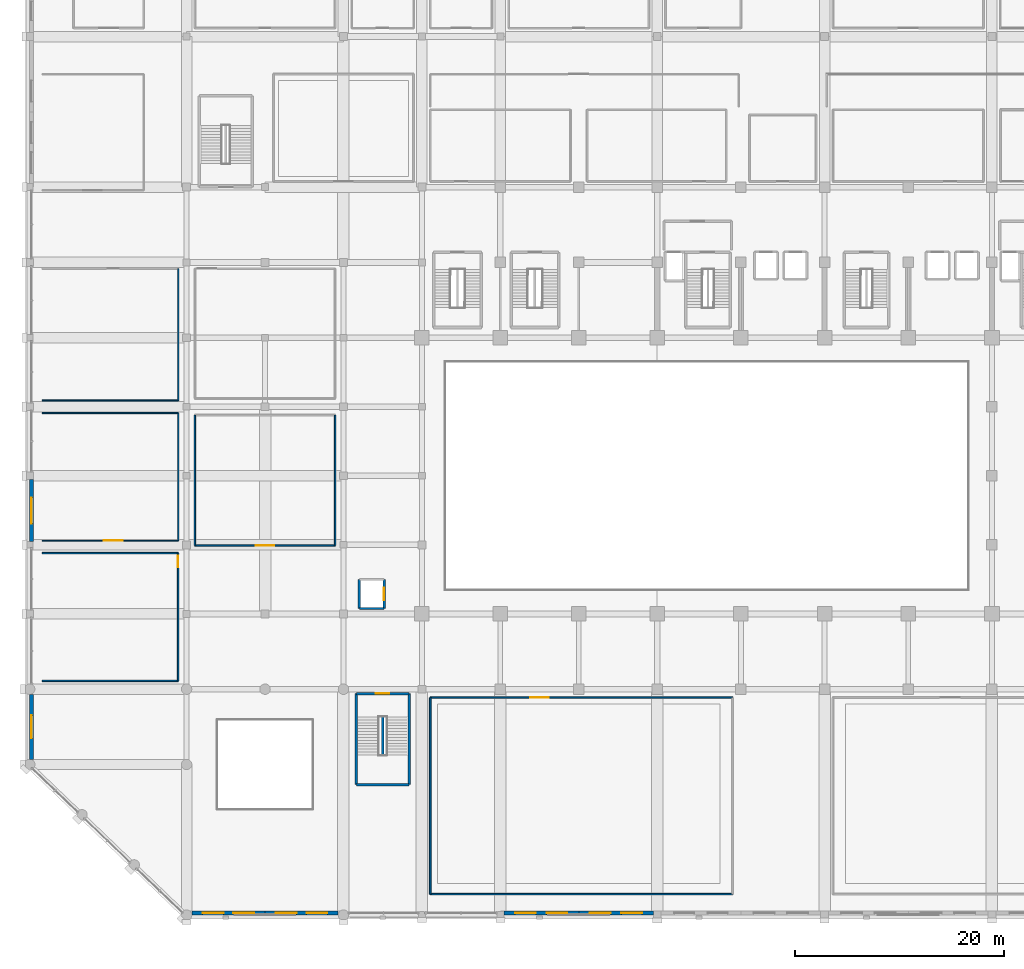
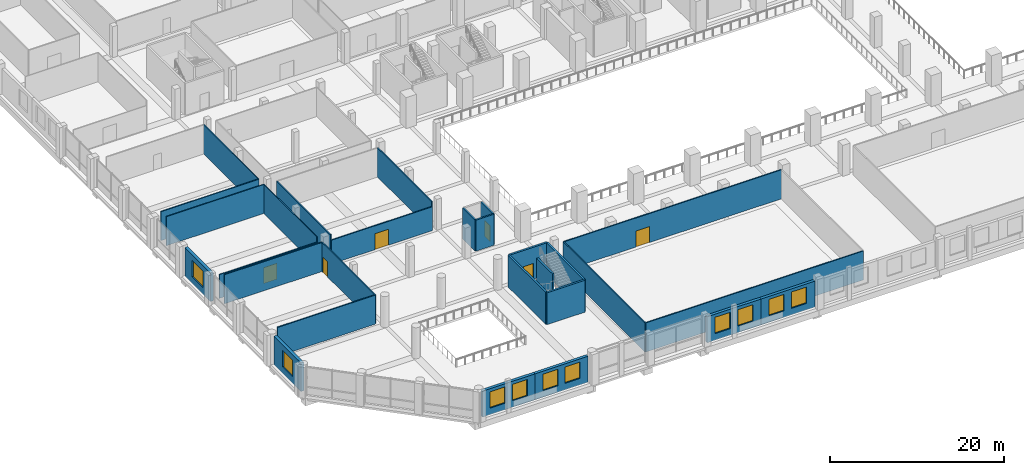
# One storey, part 40 of 64: 28 walls, 10 windows, 6 doors, 16 openings.
"""IFC4 building model written with IfcOpenShell, lengths in metres."""

from ifc_helpers import new_model, si_unit, direction, frame, frame_2d, origin, place, context, subcontext, project, spatial, rectangle, extrude, material, layer, layer_set, type_object, element, fill, save


model = new_model("IFC4")

# Units and contexts
model_context = context("Model", 3, precision=1e-05, world=origin(), true_north=direction((0.0, 1.0)))
body_context = subcontext(model_context, "Body", "Model", "MODEL_VIEW")
ifc_project = project(units=[si_unit("LENGTHUNIT", "METRE"), si_unit("AREAUNIT", "SQUARE_METRE"), si_unit("VOLUMEUNIT", "CUBIC_METRE"), si_unit("PLANEANGLEUNIT", "RADIAN"), si_unit("MASSUNIT", "GRAM", prefix="KILO")], contexts=[model_context])

# Site, building, storey
site_placement = place(None, origin())
site = spatial("IfcSite", under=ifc_project, at=site_placement, CompositionType="ELEMENT")
building_placement = place(site_placement, origin())
building = spatial("IfcBuilding", under=site, at=building_placement, Name="Akrevak Sports Hall", CompositionType="ELEMENT")
storey_placement = place(building_placement, frame((0.0, 0.0, 4.60009765625)))
storey = spatial("IfcBuildingStorey", under=building, at=storey_placement, Name="L01", CompositionType="ELEMENT", Elevation=4.60009765625)

# Wall, openings, windows
ifc_material_1 = material(Name="Limestone Ashlar", Category="stone")
ifc_layer_1 = layer(ifc_material_1, 0.080078125, Name="Limestone Ashlar")
ifc_material_2 = material(Name="Mineral Wool Thermal Insulation", Category="insulation")
ifc_layer_2 = layer(ifc_material_2, 0.10009765625, Name="Mineral Wool Thermal Insulation")
ifc_material_3 = material(Name="Concrete C40/50", Category="concrete")
ifc_layer_3 = layer(ifc_material_3, 0.199951171875, Name="Concrete C40/50")
ifc_layer_set_1 = layer_set([ifc_layer_1, ifc_layer_2, ifc_layer_3], Name="Limestone Ashlar / Mineral Wool Thermal Insulation / Concrete C40/50")
wall_type_1 = type_object("IfcWallType", Name="ARC-WL-EXT-380", PredefinedType="SOLIDWALL", material=ifc_layer_set_1)
wall_1_placement = place(storey_placement, frame((15.5, 0.18994140625, 0.0), z_axis=(0.0, 0.0, 1.0), x_axis=(1.0, 0.0, 0.0)))
wall_1 = element("IfcWall", 1, at=wall_1_placement, inside=storey, type_object=wall_type_1, Name="Exterior Limestone Wall L01-S01", PredefinedType="SOLIDWALL", context=body_context, shape_type="SweptSolid", body=[
    extrude(rectangle(XDim=7.0, YDim=0.3798828125, at=frame_2d((3.5, 0.0))), origin(), (0.0, 0.0, 1.0), 3.64990234375),
])
opening_1_placement = place(wall_1_placement, frame((1.030029296875, 0.0, 0.919921875)))
opening_1 = element("IfcOpeningElement", 2, at=opening_1_placement, cuts=wall_1, Name="Opening WN-29", PredefinedType="OPENING", context=body_context, shape_type="SweptSolid", body=[
    extrude(rectangle(XDim=2.0, YDim=2.300048828125, at=frame_2d((1.0, 1.14990234375))), frame((0.0, 0.201904296875, 0.0), z_axis=(0.0, -1.0, 0.0), x_axis=(1.0, 0.0, 0.0)), (0.0, 0.0, 1.0), 0.40380859375),
])
opening_2_placement = place(wall_1_placement, frame((3.969970703125, 0.0, 0.919921875)))
opening_2 = element("IfcOpeningElement", 3, at=opening_2_placement, cuts=wall_1, Name="Opening WN-29", PredefinedType="OPENING", context=body_context, shape_type="SweptSolid", body=[
    extrude(rectangle(XDim=2.0, YDim=2.300048828125, at=frame_2d((1.0, 1.14990234375))), frame((0.0, 0.201904296875, 0.0), z_axis=(0.0, -1.0, 0.0), x_axis=(1.0, 0.0, 0.0)), (0.0, 0.0, 1.0), 0.40380859375),
])
ifc_material_4 = material(Name="Thermally Broken Bronze Frame & Double Low-E Glass", Category="glass")
window_type_1 = type_object("IfcWindowType", Name="ARC-WIN-SZ-2000x2300", PartitioningType="SINGLE_PANEL", PredefinedType="WINDOW", material=ifc_material_4)
window_1_placement = place(opening_1_placement, origin())
window_1 = element("IfcWindow", 4, at=window_1_placement, inside=storey, type_object=window_type_1, Name="Beaux-Arts Facade Window WIN-L01-S01-1", OverallHeight=2.300048828125, OverallWidth=2.0, PartitioningType="SINGLE_PANEL", PredefinedType="WINDOW", context=body_context, shape_type="SweptSolid", body=[
    extrude(rectangle(XDim=2.0, YDim=2.300048828125, at=frame_2d((1.0, 1.14990234375))), frame((0.0, 0.030029296875, 0.0), z_axis=(0.0, -1.0, 0.0), x_axis=(1.0, 0.0, 0.0)), (0.0, 0.0, 1.0), 0.06005859375),
])
fill(opening_1, window_1)
window_2_placement = place(opening_2_placement, origin())
window_2 = element("IfcWindow", 5, at=window_2_placement, inside=storey, type_object=window_type_1, Name="Beaux-Arts Facade Window WIN-L01-S01-2", OverallHeight=2.300048828125, OverallWidth=2.0, PartitioningType="SINGLE_PANEL", PredefinedType="WINDOW", context=body_context, shape_type="SweptSolid", body=[
    extrude(rectangle(XDim=2.0, YDim=2.300048828125, at=frame_2d((1.0, 1.14990234375))), frame((0.0, 0.030029296875, 0.0), z_axis=(0.0, -1.0, 0.0), x_axis=(1.0, 0.0, 0.0)), (0.0, 0.0, 1.0), 0.06005859375),
])
fill(opening_2, window_2)

wall_2_placement = place(storey_placement, frame((22.5, 0.18994140625, 0.0), z_axis=(0.0, 0.0, 1.0), x_axis=(1.0, 0.0, 0.0)))
wall_2 = element("IfcWall", 6, at=wall_2_placement, inside=storey, type_object=wall_type_1, Name="Exterior Limestone Wall L01-S02", PredefinedType="SOLIDWALL", context=body_context, shape_type="SweptSolid", body=[
    extrude(rectangle(XDim=7.0, YDim=0.3798828125, at=frame_2d((3.5, 0.0))), origin(), (0.0, 0.0, 1.0), 3.64990234375),
])
opening_3_placement = place(wall_2_placement, frame((1.030029296875, 0.0, 0.919921875)))
opening_3 = element("IfcOpeningElement", 7, at=opening_3_placement, cuts=wall_2, Name="Opening WN-29", PredefinedType="OPENING", context=body_context, shape_type="SweptSolid", body=[
    extrude(rectangle(XDim=2.0, YDim=2.300048828125, at=frame_2d((1.0, 1.14990234375))), frame((0.0, 0.201904296875, 0.0), z_axis=(0.0, -1.0, 0.0), x_axis=(1.0, 0.0, 0.0)), (0.0, 0.0, 1.0), 0.40380859375),
])
opening_4_placement = place(wall_2_placement, frame((3.969970703125, 0.0, 0.919921875)))
opening_4 = element("IfcOpeningElement", 8, at=opening_4_placement, cuts=wall_2, Name="Opening WN-29", PredefinedType="OPENING", context=body_context, shape_type="SweptSolid", body=[
    extrude(rectangle(XDim=2.0, YDim=2.300048828125, at=frame_2d((1.0, 1.14990234375))), frame((0.0, 0.201904296875, 0.0), z_axis=(0.0, -1.0, 0.0), x_axis=(1.0, 0.0, 0.0)), (0.0, 0.0, 1.0), 0.40380859375),
])
window_3_placement = place(opening_3_placement, origin())
window_3 = element("IfcWindow", 9, at=window_3_placement, inside=storey, type_object=window_type_1, Name="Beaux-Arts Facade Window WIN-L01-S02-1", OverallHeight=2.300048828125, OverallWidth=2.0, PartitioningType="SINGLE_PANEL", PredefinedType="WINDOW", context=body_context, shape_type="SweptSolid", body=[
    extrude(rectangle(XDim=2.0, YDim=2.300048828125, at=frame_2d((1.0, 1.14990234375))), frame((0.0, 0.030029296875, 0.0), z_axis=(0.0, -1.0, 0.0), x_axis=(1.0, 0.0, 0.0)), (0.0, 0.0, 1.0), 0.06005859375),
])
fill(opening_3, window_3)
window_4_placement = place(opening_4_placement, origin())
window_4 = element("IfcWindow", 10, at=window_4_placement, inside=storey, type_object=window_type_1, Name="Beaux-Arts Facade Window WIN-L01-S02-2", OverallHeight=2.300048828125, OverallWidth=2.0, PartitioningType="SINGLE_PANEL", PredefinedType="WINDOW", context=body_context, shape_type="SweptSolid", body=[
    extrude(rectangle(XDim=2.0, YDim=2.300048828125, at=frame_2d((1.0, 1.14990234375))), frame((0.0, 0.030029296875, 0.0), z_axis=(0.0, -1.0, 0.0), x_axis=(1.0, 0.0, 0.0)), (0.0, 0.0, 1.0), 0.06005859375),
])
fill(opening_4, window_4)

wall_3_placement = place(storey_placement, frame((45.324951171875, 0.18994140625, 0.0), z_axis=(0.0, 0.0, 1.0), x_axis=(1.0, 0.0, 0.0)))
wall_3 = element("IfcWall", 11, at=wall_3_placement, inside=storey, type_object=wall_type_1, Name="Exterior Limestone Wall L01-S05", PredefinedType="SOLIDWALL", context=body_context, shape_type="SweptSolid", body=[
    extrude(rectangle(XDim=7.175048828125, YDim=0.3798828125, at=frame_2d((3.58740234375, 0.0))), origin(), (0.0, 0.0, 1.0), 3.64990234375),
])
opening_5_placement = place(wall_3_placement, frame((1.080810546875, 0.0, 0.919921875)))
opening_5 = element("IfcOpeningElement", 12, at=opening_5_placement, cuts=wall_3, Name="Opening WN-29", PredefinedType="OPENING", context=body_context, shape_type="SweptSolid", body=[
    extrude(rectangle(XDim=2.0, YDim=2.300048828125, at=frame_2d((1.0, 1.14990234375))), frame((0.0, 0.201904296875, 0.0), z_axis=(0.0, -1.0, 0.0), x_axis=(1.0, 0.0, 0.0)), (0.0, 0.0, 1.0), 0.40380859375),
])
opening_6_placement = place(wall_3_placement, frame((4.09423828125, 0.0, 0.919921875)))
opening_6 = element("IfcOpeningElement", 13, at=opening_6_placement, cuts=wall_3, Name="Opening WN-29", PredefinedType="OPENING", context=body_context, shape_type="SweptSolid", body=[
    extrude(rectangle(XDim=2.0, YDim=2.300048828125, at=frame_2d((1.0, 1.14990234375))), frame((0.0, 0.201904296875, 0.0), z_axis=(0.0, -1.0, 0.0), x_axis=(1.0, 0.0, 0.0)), (0.0, 0.0, 1.0), 0.40380859375),
])
window_5_placement = place(opening_5_placement, origin())
window_5 = element("IfcWindow", 14, at=window_5_placement, inside=storey, type_object=window_type_1, Name="Beaux-Arts Facade Window WIN-L01-S05-1", OverallHeight=2.300048828125, OverallWidth=2.0, PartitioningType="SINGLE_PANEL", PredefinedType="WINDOW", context=body_context, shape_type="SweptSolid", body=[
    extrude(rectangle(XDim=2.0, YDim=2.300048828125, at=frame_2d((1.0, 1.14990234375))), frame((0.0, 0.030029296875, 0.0), z_axis=(0.0, -1.0, 0.0), x_axis=(1.0, 0.0, 0.0)), (0.0, 0.0, 1.0), 0.06005859375),
])
fill(opening_5, window_5)
window_6_placement = place(opening_6_placement, origin())
window_6 = element("IfcWindow", 15, at=window_6_placement, inside=storey, type_object=window_type_1, Name="Beaux-Arts Facade Window WIN-L01-S05-2", OverallHeight=2.300048828125, OverallWidth=2.0, PartitioningType="SINGLE_PANEL", PredefinedType="WINDOW", context=body_context, shape_type="SweptSolid", body=[
    extrude(rectangle(XDim=2.0, YDim=2.300048828125, at=frame_2d((1.0, 1.14990234375))), frame((0.0, 0.030029296875, 0.0), z_axis=(0.0, -1.0, 0.0), x_axis=(1.0, 0.0, 0.0)), (0.0, 0.0, 1.0), 0.06005859375),
])
fill(opening_6, window_6)

wall_4_placement = place(storey_placement, frame((52.5, 0.18994140625, 0.0), z_axis=(0.0, 0.0, 1.0), x_axis=(1.0, 0.0, 0.0)))
wall_4 = element("IfcWall", 16, at=wall_4_placement, inside=storey, type_object=wall_type_1, Name="Exterior Limestone Wall L01-S06", PredefinedType="SOLIDWALL", context=body_context, shape_type="SweptSolid", body=[
    extrude(rectangle(XDim=7.125, YDim=0.3798828125, at=frame_2d((3.5625, 0.0))), origin(), (0.0, 0.0, 1.0), 3.64990234375),
])
opening_7_placement = place(wall_4_placement, frame((1.066162109375, 0.0, 0.919921875)))
opening_7 = element("IfcOpeningElement", 17, at=opening_7_placement, cuts=wall_4, Name="Opening WN-29", PredefinedType="OPENING", context=body_context, shape_type="SweptSolid", body=[
    extrude(rectangle(XDim=2.0, YDim=2.300048828125, at=frame_2d((1.0, 1.14990234375))), frame((0.0, 0.201904296875, 0.0), z_axis=(0.0, -1.0, 0.0), x_axis=(1.0, 0.0, 0.0)), (0.0, 0.0, 1.0), 0.40380859375),
])
opening_8_placement = place(wall_4_placement, frame((4.058837890625, 0.0, 0.919921875)))
opening_8 = element("IfcOpeningElement", 18, at=opening_8_placement, cuts=wall_4, Name="Opening WN-29", PredefinedType="OPENING", context=body_context, shape_type="SweptSolid", body=[
    extrude(rectangle(XDim=2.0, YDim=2.300048828125, at=frame_2d((1.0, 1.14990234375))), frame((0.0, 0.201904296875, 0.0), z_axis=(0.0, -1.0, 0.0), x_axis=(1.0, 0.0, 0.0)), (0.0, 0.0, 1.0), 0.40380859375),
])
window_7_placement = place(opening_7_placement, origin())
window_7 = element("IfcWindow", 19, at=window_7_placement, inside=storey, type_object=window_type_1, Name="Beaux-Arts Facade Window WIN-L01-S06-1", OverallHeight=2.300048828125, OverallWidth=2.0, PartitioningType="SINGLE_PANEL", PredefinedType="WINDOW", context=body_context, shape_type="SweptSolid", body=[
    extrude(rectangle(XDim=2.0, YDim=2.300048828125, at=frame_2d((1.0, 1.14990234375))), frame((0.0, 0.030029296875, 0.0), z_axis=(0.0, -1.0, 0.0), x_axis=(1.0, 0.0, 0.0)), (0.0, 0.0, 1.0), 0.06005859375),
])
fill(opening_7, window_7)
window_8_placement = place(opening_8_placement, origin())
window_8 = element("IfcWindow", 20, at=window_8_placement, inside=storey, type_object=window_type_1, Name="Beaux-Arts Facade Window WIN-L01-S06-2", OverallHeight=2.300048828125, OverallWidth=2.0, PartitioningType="SINGLE_PANEL", PredefinedType="WINDOW", context=body_context, shape_type="SweptSolid", body=[
    extrude(rectangle(XDim=2.0, YDim=2.300048828125, at=frame_2d((1.0, 1.14990234375))), frame((0.0, 0.030029296875, 0.0), z_axis=(0.0, -1.0, 0.0), x_axis=(1.0, 0.0, 0.0)), (0.0, 0.0, 1.0), 0.06005859375),
])
fill(opening_8, window_8)

# Wall, opening, window
wall_5_placement = place(storey_placement, frame((0.18994140625, 21.10009765625, 0.0), z_axis=(0.0, 0.0, 1.0), x_axis=(0.0, -1.0, 0.0)))
wall_5 = element("IfcWall", 21, at=wall_5_placement, inside=storey, type_object=wall_type_1, Name="Exterior Limestone Wall L01-W01", PredefinedType="SOLIDWALL", context=body_context, shape_type="SweptSolid", body=[
    extrude(rectangle(XDim=6.2001953125, YDim=0.3798828125, at=frame_2d((3.10009765625, 0.0))), origin(), (0.0, 0.0, 1.0), 4.02001953125),
])
opening_9_placement = place(wall_5_placement, frame((2.0, 0.0, 0.919921875)))
opening_9 = element("IfcOpeningElement", 22, at=opening_9_placement, cuts=wall_5, Name="Opening WN-34", PredefinedType="OPENING", context=body_context, shape_type="SweptSolid", body=[
    extrude(rectangle(XDim=2.199951171875, YDim=2.300048828125, at=frame_2d((1.10009765625, 1.14990234375))), frame((0.0, 0.201904296875, 0.0), z_axis=(0.0, -1.0, 0.0), x_axis=(1.0, 0.0, 0.0)), (0.0, 0.0, 1.0), 0.40380859375),
])
window_type_2 = type_object("IfcWindowType", Name="ARC-WIN-SZ-2200x2300", PartitioningType="SINGLE_PANEL", PredefinedType="WINDOW", material=ifc_material_4)
window_9_placement = place(opening_9_placement, origin())
window_9 = element("IfcWindow", 23, at=window_9_placement, inside=storey, type_object=window_type_2, Name="Beaux-Arts Facade Window WIN-L01-W01", OverallHeight=2.300048828125, OverallWidth=2.199951171875, PartitioningType="SINGLE_PANEL", PredefinedType="WINDOW", context=body_context, shape_type="SweptSolid", body=[
    extrude(rectangle(XDim=2.199951171875, YDim=2.300048828125, at=frame_2d((1.10009765625, 1.14990234375))), frame((0.0, 0.030029296875, 0.0), z_axis=(0.0, -1.0, 0.0), x_axis=(1.0, 0.0, 0.0)), (0.0, 0.0, 1.0), 0.06005859375),
])
fill(opening_9, window_9)

wall_6_placement = place(storey_placement, frame((0.18994140625, 41.625, 0.0), z_axis=(0.0, 0.0, 1.0), x_axis=(0.0, -1.0, 0.0)))
wall_6 = element("IfcWall", 24, at=wall_6_placement, inside=storey, type_object=wall_type_1, Name="Exterior Limestone Wall L01-W04", PredefinedType="SOLIDWALL", context=body_context, shape_type="SweptSolid", body=[
    extrude(rectangle(XDim=5.89990234375, YDim=0.3798828125, at=frame_2d((2.949951171875, 0.0))), origin(), (0.0, 0.0, 1.0), 4.02001953125),
])
opening_10_placement = place(wall_6_placement, frame((1.699951171875, 0.0, 0.919921875)))
opening_10 = element("IfcOpeningElement", 25, at=opening_10_placement, cuts=wall_6, Name="Opening WN-32", PredefinedType="OPENING", context=body_context, shape_type="SweptSolid", body=[
    extrude(rectangle(XDim=2.5, YDim=2.300048828125, at=frame_2d((1.25, 1.14990234375))), frame((0.0, 0.201904296875, 0.0), z_axis=(0.0, -1.0, 0.0), x_axis=(1.0, 0.0, 0.0)), (0.0, 0.0, 1.0), 0.40380859375),
])
window_type_3 = type_object("IfcWindowType", Name="ARC-WIN-SZ-2500x2300", PartitioningType="SINGLE_PANEL", PredefinedType="WINDOW", material=ifc_material_4)
window_10_placement = place(opening_10_placement, origin())
window_10 = element("IfcWindow", 26, at=window_10_placement, inside=storey, type_object=window_type_3, Name="Beaux-Arts Facade Window WIN-L01-W04", OverallHeight=2.300048828125, OverallWidth=2.5, PartitioningType="SINGLE_PANEL", PredefinedType="WINDOW", context=body_context, shape_type="SweptSolid", body=[
    extrude(rectangle(XDim=2.5, YDim=2.300048828125, at=frame_2d((1.25, 1.14990234375))), frame((0.0, 0.030029296875, 0.0), z_axis=(0.0, -1.0, 0.0), x_axis=(1.0, 0.0, 0.0)), (0.0, 0.0, 1.0), 0.06005859375),
])
fill(opening_10, window_10)

# Wall, opening, door
ifc_material_5 = material(Name="Lightweight Office Partition", Category="gypsum")
ifc_layer_4 = layer(ifc_material_5, 0.110107421875, Name="Lightweight Office Partition")
ifc_layer_set_2 = layer_set([ifc_layer_4], Name="Lightweight Office Partition")
wall_type_2 = type_object("IfcWallType", Name="ARC-WL-PRT-110", PredefinedType="PARTITIONING", material=ifc_layer_set_2)
wall_7_placement = place(storey_placement, frame((1.199951171875, 35.800048828125, 0.0), z_axis=(0.0, 0.0, 1.0), x_axis=(1.0, 0.0, 0.0)))
wall_7 = element("IfcWall", 27, at=wall_7_placement, inside=storey, type_object=wall_type_2, Name="Interior Partition West Boulevard Equipment Storage L01-1 (S)", PredefinedType="PARTITIONING", context=body_context, shape_type="SweptSolid", body=[
    extrude(rectangle(XDim=13.0, YDim=0.110107421875, at=frame_2d((6.5, 0.0))), origin(), (0.0, 0.0, 1.0), 3.349853515625),
])
opening_11_placement = place(wall_7_placement, frame((5.89990234375, 0.0, 0.0)))
opening_11 = element("IfcOpeningElement", 28, at=opening_11_placement, cuts=wall_7, Name="Opening ID-02", PredefinedType="OPENING", context=body_context, shape_type="SweptSolid", body=[
    extrude(rectangle(XDim=1.800048828125, YDim=2.25, at=frame_2d((0.89990234375, 1.125))), frame((0.0, 0.06689453125, 0.0), z_axis=(0.0, -1.0, 0.0), x_axis=(1.0, 0.0, 0.0)), (0.0, 0.0, 1.0), 0.134033203125),
])
ifc_material_6 = material(Name="Hardwood Oak & Safety Glass", Category="wood")
door_type_1 = type_object("IfcDoorType", Name="ARC-DR-HALL-180x225", OperationType="DOUBLE_DOOR_SINGLE_SWING", PredefinedType="DOOR", material=ifc_material_6)
door_1_placement = place(opening_11_placement, origin())
door_1 = element("IfcDoor", 29, at=door_1_placement, inside=storey, type_object=door_type_1, Name="Door to West Boulevard Equipment Storage L01-1", OperationType="DOUBLE_DOOR_SINGLE_SWING", OverallHeight=2.25, OverallWidth=1.800048828125, PredefinedType="DOOR", context=body_context, shape_type="SweptSolid", body=[
    extrude(rectangle(XDim=1.800048828125, YDim=2.25, at=frame_2d((0.89990234375, 1.125))), frame((0.0, 0.02490234375, 0.0), z_axis=(0.0, -1.0, 0.0), x_axis=(1.0, 0.0, 0.0)), (0.0, 0.0, 1.0), 0.050048828125),
])
fill(opening_11, door_1)

# Walls
wall_8_placement = place(storey_placement, frame((1.199951171875, 48.0, 0.0), z_axis=(0.0, 0.0, 1.0), x_axis=(1.0, 0.0, 0.0)))
element("IfcWall", 30, at=wall_8_placement, inside=storey, type_object=wall_type_2, Name="Interior Partition West Boulevard Equipment Storage L01-1 (N)", PredefinedType="PARTITIONING", context=body_context, shape_type="SweptSolid", body=[
    extrude(rectangle(XDim=13.0, YDim=0.110107421875, at=frame_2d((6.5, 0.0))), origin(), (0.0, 0.0, 1.0), 4.079833984375),
])
wall_9_placement = place(storey_placement, frame((14.199951171875, 35.800048828125, 0.0), z_axis=(0.0, 0.0, 1.0), x_axis=(0.0, 1.0, 0.0)))
element("IfcWall", 31, at=wall_9_placement, inside=storey, type_object=wall_type_2, Name="Interior Partition West Boulevard Equipment Storage L01-1 (E)", PredefinedType="PARTITIONING", context=body_context, shape_type="SweptSolid", body=[
    extrude(rectangle(XDim=12.199951171875, YDim=0.110107421875, at=frame_2d((6.10009765625, 0.0))), origin(), (0.0, 0.0, 1.0), 4.079833984375),
])
ifc_material_7 = material(Name="Acoustic Metal Stud Partition", Category="gypsum")
ifc_layer_5 = layer(ifc_material_7, 0.1298828125, Name="Acoustic Metal Stud Partition")
ifc_layer_set_3 = layer_set([ifc_layer_5], Name="Acoustic Metal Stud Partition")
wall_type_3 = type_object("IfcWallType", Name="ARC-WL-PRT-130", PredefinedType="PARTITIONING", material=ifc_layer_set_3)
wall_10_placement = place(storey_placement, frame((1.199951171875, 49.199951171875, 0.0), z_axis=(0.0, 0.0, 1.0), x_axis=(1.0, 0.0, 0.0)))
element("IfcWall", 32, at=wall_10_placement, inside=storey, type_object=wall_type_3, Name="Interior Partition West Boulevard Federation Office L01-2 (S)", PredefinedType="PARTITIONING", context=body_context, shape_type="SweptSolid", body=[
    extrude(rectangle(XDim=13.0, YDim=0.1298828125, at=frame_2d((6.5, 0.0))), origin(), (0.0, 0.0, 1.0), 4.079833984375),
])
wall_11_placement = place(storey_placement, frame((14.199951171875, 49.199951171875, 0.0), z_axis=(0.0, 0.0, 1.0), x_axis=(0.0, 1.0, 0.0)))
element("IfcWall", 33, at=wall_11_placement, inside=storey, type_object=wall_type_3, Name="Interior Partition West Boulevard Federation Office L01-2 (E)", PredefinedType="PARTITIONING", context=body_context, shape_type="SweptSolid", body=[
    extrude(rectangle(XDim=12.60009765625, YDim=0.1298828125, at=frame_2d((6.300048828125, 0.0))), origin(), (0.0, 0.0, 1.0), 4.079833984375),
])
ifc_material_8 = material(Name="Double Stud Acoustic Gypsum Partition", Category="gypsum")
ifc_layer_6 = layer(ifc_material_8, 0.14990234375, Name="Double Stud Acoustic Gypsum Partition")
ifc_layer_set_4 = layer_set([ifc_layer_6], Name="Double Stud Acoustic Gypsum Partition")
wall_type_4 = type_object("IfcWallType", Name="ARC-WL-PRT-150", PredefinedType="PARTITIONING", material=ifc_layer_set_4)
wall_12_placement = place(storey_placement, frame((38.300048828125, 2.0, 0.0), z_axis=(0.0, 0.0, 1.0), x_axis=(1.0, 0.0, 0.0)))
element("IfcWall", 34, at=wall_12_placement, inside=storey, type_object=wall_type_4, Name="Interior Partition Fitness Studio 1 - Strength & Free Weights (S)", PredefinedType="PARTITIONING", context=body_context, shape_type="SweptSolid", body=[
    extrude(rectangle(XDim=28.89990234375, YDim=0.14990234375, at=frame_2d((14.449951171875, 0.0))), origin(), (0.0, 0.0, 1.0), 4.079833984375),
])

# Wall, opening, door
wall_13_placement = place(storey_placement, frame((38.300048828125, 20.800048828125, 0.0), z_axis=(0.0, 0.0, 1.0), x_axis=(1.0, 0.0, 0.0)))
wall_13 = element("IfcWall", 35, at=wall_13_placement, inside=storey, type_object=wall_type_4, Name="Interior Partition Fitness Studio 1 - Strength & Free Weights (N)", PredefinedType="PARTITIONING", context=body_context, shape_type="SweptSolid", body=[
    extrude(rectangle(XDim=28.89990234375, YDim=0.14990234375, at=frame_2d((14.449951171875, 0.0))), origin(), (0.0, 0.0, 1.0), 4.079833984375),
])
opening_12_placement = place(wall_13_placement, frame((9.550048828125, 0.0, 0.0)))
opening_12 = element("IfcOpeningElement", 36, at=opening_12_placement, cuts=wall_13, Name="Opening ID-02", PredefinedType="OPENING", context=body_context, shape_type="SweptSolid", body=[
    extrude(rectangle(XDim=1.800048828125, YDim=2.25, at=frame_2d((0.89990234375, 1.125))), frame((0.0, 0.0869140625, 0.0), z_axis=(0.0, -1.0, 0.0), x_axis=(1.0, 0.0, 0.0)), (0.0, 0.0, 1.0), 0.173828125),
])
door_2_placement = place(opening_12_placement, origin())
door_2 = element("IfcDoor", 37, at=door_2_placement, inside=storey, type_object=door_type_1, Name="Door to Fitness Studio 1 - Strength & Free Weights", OperationType="DOUBLE_DOOR_SINGLE_SWING", OverallHeight=2.25, OverallWidth=1.800048828125, PredefinedType="DOOR", context=body_context, shape_type="SweptSolid", body=[
    extrude(rectangle(XDim=1.800048828125, YDim=2.25, at=frame_2d((0.89990234375, 1.125))), frame((0.0, 0.02490234375, 0.0), z_axis=(0.0, -1.0, 0.0), x_axis=(1.0, 0.0, 0.0)), (0.0, 0.0, 1.0), 0.050048828125),
])
fill(opening_12, door_2)

# Wall
wall_14_placement = place(storey_placement, frame((38.300048828125, 2.0, 0.0), z_axis=(0.0, 0.0, 1.0), x_axis=(0.0, 1.0, 0.0)))
element("IfcWall", 38, at=wall_14_placement, inside=storey, type_object=wall_type_4, Name="Interior Partition Fitness Studio 1 - Strength & Free Weights (W)", PredefinedType="PARTITIONING", context=body_context, shape_type="SweptSolid", body=[
    extrude(rectangle(XDim=18.800048828125, YDim=0.14990234375, at=frame_2d((9.39990234375, 0.0))), origin(), (0.0, 0.0, 1.0), 4.079833984375),
])

# Wall, opening, door
wall_15_placement = place(storey_placement, frame((15.800048828125, 35.35009765625, 0.0), z_axis=(0.0, 0.0, 1.0), x_axis=(1.0, 0.0, 0.0)))
wall_15 = element("IfcWall", 39, at=wall_15_placement, inside=storey, type_object=wall_type_4, Name="Interior Partition West Wing Athletic Conditioning Studio L01 (S)", PredefinedType="PARTITIONING", context=body_context, shape_type="SweptSolid", body=[
    extrude(rectangle(XDim=13.39990234375, YDim=0.14990234375, at=frame_2d((6.699951171875, 0.0))), origin(), (0.0, 0.0, 1.0), 3.349853515625),
])
opening_13_placement = place(wall_15_placement, frame((5.800048828125, 0.0, 0.0)))
opening_13 = element("IfcOpeningElement", 40, at=opening_13_placement, cuts=wall_15, Name="Opening ID-02", PredefinedType="OPENING", context=body_context, shape_type="SweptSolid", body=[
    extrude(rectangle(XDim=1.800048828125, YDim=2.25, at=frame_2d((0.89990234375, 1.125))), frame((0.0, 0.0869140625, 0.0), z_axis=(0.0, -1.0, 0.0), x_axis=(1.0, 0.0, 0.0)), (0.0, 0.0, 1.0), 0.173828125),
])
door_3_placement = place(opening_13_placement, frame((1.800048828125, 0.0, 0.0), z_axis=(0.0, 0.0, 1.0), x_axis=(-1.0, 0.0, 0.0)))
door_3 = element("IfcDoor", 41, at=door_3_placement, inside=storey, type_object=door_type_1, Name="Door to West Wing Athletic Conditioning Studio L01", OperationType="DOUBLE_DOOR_SINGLE_SWING", OverallHeight=2.25, OverallWidth=1.800048828125, PredefinedType="DOOR", context=body_context, shape_type="SweptSolid", body=[
    extrude(rectangle(XDim=1.800048828125, YDim=2.25, at=frame_2d((0.89990234375, 1.125))), frame((0.0, 0.02490234375, 0.0), z_axis=(0.0, -1.0, 0.0), x_axis=(1.0, 0.0, 0.0)), (0.0, 0.0, 1.0), 0.050048828125),
])
fill(opening_13, door_3)

# Walls
for number, where, z_axis, x_axis, name in (
    (42, (15.800048828125, 35.35009765625, 0.0), (0.0, 0.0, 1.0), (0.0, 1.0, 0.0), "Interior Partition West Wing Athletic Conditioning Studio L01 (W)"),
    (43, (29.199951171875, 35.35009765625, 0.0), (0.0, 0.0, 1.0), (0.0, 1.0, 0.0), "Interior Partition West Wing Athletic Conditioning Studio L01 (E)"),
):
    element("IfcWall", number, at=place(storey_placement, frame(where, z_axis=z_axis, x_axis=x_axis)), inside=storey, type_object=wall_type_4, Name=name, PredefinedType="PARTITIONING", context=body_context, shape_type="SweptSolid", body=[
        extrude(rectangle(XDim=12.449951171875, YDim=0.14990234375, at=frame_2d((6.22509765625, 0.0))), origin(), (0.0, 0.0, 1.0), 4.079833984375),
    ])
for number, where, z_axis, x_axis, name in (
    (44, (1.199951171875, 22.39990234375, 0.0), (0.0, 0.0, 1.0), (1.0, 0.0, 0.0), "Interior Partition West Boulevard Federation Office L01-1 (S)"),
    (45, (1.199951171875, 34.60009765625, 0.0), (0.0, 0.0, 1.0), (1.0, 0.0, 0.0), "Interior Partition West Boulevard Federation Office L01-1 (N)"),
):
    element("IfcWall", number, at=place(storey_placement, frame(where, z_axis=z_axis, x_axis=x_axis)), inside=storey, type_object=wall_type_4, Name=name, PredefinedType="PARTITIONING", context=body_context, shape_type="SweptSolid", body=[
        extrude(rectangle(XDim=13.0, YDim=0.14990234375, at=frame_2d((6.5, 0.0))), origin(), (0.0, 0.0, 1.0), 4.079833984375),
    ])

# Wall, opening, door
wall_16_placement = place(storey_placement, frame((14.199951171875, 22.39990234375, 0.0), z_axis=(0.0, 0.0, 1.0), x_axis=(0.0, 1.0, 0.0)))
wall_16 = element("IfcWall", 46, at=wall_16_placement, inside=storey, type_object=wall_type_4, Name="Interior Partition West Boulevard Federation Office L01-1 (E)", PredefinedType="PARTITIONING", context=body_context, shape_type="SweptSolid", body=[
    extrude(rectangle(XDim=12.2001953125, YDim=0.14990234375, at=frame_2d((6.10009765625, 0.0))), origin(), (0.0, 0.0, 1.0), 4.079833984375),
])
opening_14_placement = place(wall_16_placement, frame((10.85009765625, 0.0, 0.0)))
opening_14 = element("IfcOpeningElement", 47, at=opening_14_placement, cuts=wall_16, Name="Opening ID-04", PredefinedType="OPENING", context=body_context, shape_type="SweptSolid", body=[
    extrude(rectangle(XDim=1.10009765625, YDim=2.14990234375, at=frame_2d((0.550048828125, 1.074951171875))), frame((0.0, 0.0869140625, 0.0), z_axis=(0.0, -1.0, 0.0), x_axis=(1.0, 0.0, 0.0)), (0.0, 0.0, 1.0), 0.173828125),
])
ifc_material_9 = material(Name="Hardwood Oak Acoustic Leaf", Category="wood")
door_type_2 = type_object("IfcDoorType", Name="ARC-DR-OFF-110x215", OperationType="NOTDEFINED", PredefinedType="DOOR", material=ifc_material_9)
door_4_placement = place(opening_14_placement, frame((1.10009765625, 0.0, 0.0), z_axis=(0.0, 0.0, 1.0), x_axis=(-1.0, 0.0, 0.0)))
door_4 = element("IfcDoor", 48, at=door_4_placement, inside=storey, type_object=door_type_2, Name="Door to West Boulevard Federation Office L01-1", OperationType="SINGLE_SWING_RIGHT", OverallHeight=2.14990234375, OverallWidth=1.10009765625, PredefinedType="DOOR", context=body_context, shape_type="SweptSolid", body=[
    extrude(rectangle(XDim=1.10009765625, YDim=2.14990234375, at=frame_2d((0.550048828125, 1.074951171875))), frame((0.0, 0.02490234375, 0.0), z_axis=(0.0, -1.0, 0.0), x_axis=(1.0, 0.0, 0.0)), (0.0, 0.0, 1.0), 0.050048828125),
])
fill(opening_14, door_4)

# Walls
ifc_layer_7 = layer(ifc_material_3, 0.219970703125, Name="Concrete C40/50")
ifc_layer_set_5 = layer_set([ifc_layer_7], Name="Concrete C40/50")
wall_type_5 = type_object("IfcWallType", Name="ARC-WL-PRT-220", PredefinedType="PARTITIONING", material=ifc_layer_set_5)
wall_17_placement = place(storey_placement, frame((33.75, 15.31005859375, 0.0), z_axis=(0.0, 0.0, 1.0), x_axis=(0.0, 1.0, 0.0)))
element("IfcWall", 49, at=wall_17_placement, inside=storey, type_object=wall_type_5, Name="Stair ST5 Central Spine Wall (L01)", PredefinedType="PARTITIONING", context=body_context, shape_type="SweptSolid", body=[
    extrude(rectangle(XDim=3.639892578125, YDim=0.219970703125, at=frame_2d((1.81982421875, 0.0))), origin(), (0.0, 0.0, 1.0), 4.47998046875),
])
ifc_material_10 = material(Name="Concrete C50/60", Category="concrete")
ifc_layer_8 = layer(ifc_material_10, 0.219970703125, Name="Concrete C50/60")
ifc_layer_set_6 = layer_set([ifc_layer_8], Name="Concrete C50/60")
wall_type_6 = type_object("IfcWallType", Name="ARC-WL-SHAFT-220", PredefinedType="SHEAR", material=ifc_layer_set_6)
wall_18_placement = place(storey_placement, frame((31.510009765625, 29.31005859375, 0.0), z_axis=(0.0, 0.0, 1.0), x_axis=(1.0, 0.0, 0.0)))
element("IfcWall", 50, at=wall_18_placement, inside=storey, type_object=wall_type_6, Name="Lift Shaft LF-G1 Wall S (L01)", PredefinedType="SHEAR", context=body_context, shape_type="SweptSolid", body=[
    extrude(rectangle(XDim=2.3798828125, YDim=0.219970703125, at=frame_2d((1.18994140625, 0.0))), origin(), (0.0, 0.0, 1.0), 4.349853515625),
])
wall_19_placement = place(storey_placement, frame((31.510009765625, 32.090087890625, 0.0), z_axis=(0.0, 0.0, 1.0), x_axis=(0.0, -1.0, 0.0)))
element("IfcWall", 51, at=wall_19_placement, inside=storey, type_object=wall_type_6, Name="Lift Shaft LF-G1 Wall W (L01)", PredefinedType="SHEAR", context=body_context, shape_type="SweptSolid", body=[
    extrude(rectangle(XDim=2.780029296875, YDim=0.219970703125, at=frame_2d((1.39013671875, 0.0))), origin(), (0.0, 0.0, 1.0), 4.349853515625),
])

# Wall, opening, door
wall_20_placement = place(storey_placement, frame((33.889892578125, 29.31005859375, 0.0), z_axis=(0.0, 0.0, 1.0), x_axis=(0.0, 1.0, 0.0)))
wall_20 = element("IfcWall", 52, at=wall_20_placement, inside=storey, type_object=wall_type_6, Name="Lift Shaft LF-G1 Wall E (L01)", PredefinedType="SHEAR", context=body_context, shape_type="SweptSolid", body=[
    extrude(rectangle(XDim=2.780029296875, YDim=0.219970703125, at=frame_2d((1.39013671875, 0.0))), origin(), (0.0, 0.0, 1.0), 4.349853515625),
])
opening_15_placement = place(wall_20_placement, frame((0.7900390625, 0.0, 0.0)))
opening_15 = element("IfcOpeningElement", 53, at=opening_15_placement, cuts=wall_20, Name="Opening LD-02", PredefinedType="OPENING", context=body_context, shape_type="SweptSolid", body=[
    extrude(rectangle(XDim=1.199951171875, YDim=2.199951171875, at=frame_2d((0.60009765625, 1.10009765625))), frame((0.0, 0.1220703125, 0.0), z_axis=(0.0, -1.0, 0.0), x_axis=(1.0, 0.0, 0.0)), (0.0, 0.0, 1.0), 0.243896484375),
])
ifc_material_11 = material(Name="Brushed Stainless Steel 304", Category="steel")
door_type_3 = type_object("IfcDoorType", Name="ARC-DR-LD-120x220", OperationType="SLIDING_TO_RIGHT", PredefinedType="DOOR", material=ifc_material_11)
door_5_placement = place(opening_15_placement, origin())
door_5 = element("IfcDoor", 54, at=door_5_placement, inside=storey, type_object=door_type_3, Name="Lift LF-G1 Sliding Landing Door (L01)", OperationType="SLIDING_TO_RIGHT", OverallHeight=2.199951171875, OverallWidth=1.199951171875, PredefinedType="DOOR", context=body_context, shape_type="SweptSolid", body=[
    extrude(rectangle(XDim=1.199951171875, YDim=2.199951171875, at=frame_2d((0.60009765625, 1.10009765625))), frame((0.0, 0.02490234375, 0.0), z_axis=(0.0, -1.0, 0.0), x_axis=(1.0, 0.0, 0.0)), (0.0, 0.0, 1.0), 0.050048828125),
])
fill(opening_15, door_5)

# Wall
ifc_layer_9 = layer(ifc_material_10, 0.25, Name="Concrete C50/60")
ifc_layer_set_7 = layer_set([ifc_layer_9], Name="Concrete C50/60")
wall_type_7 = type_object("IfcWallType", Name="STR-WL-STAIR-250", PredefinedType="SHEAR", material=ifc_layer_set_7)
wall_21_placement = place(storey_placement, frame((31.22509765625, 12.47509765625, 0.0), z_axis=(0.0, 0.0, 1.0), x_axis=(1.0, 0.0, 0.0)))
element("IfcWall", 55, at=wall_21_placement, inside=storey, type_object=wall_type_7, Name="Stair Core ST5 Shear Wall S (L01)", PredefinedType="SHEAR", context=body_context, shape_type="SweptSolid", body=[
    extrude(rectangle(XDim=5.0498046875, YDim=0.25, at=frame_2d((2.52490234375, 0.0))), origin(), (0.0, 0.0, 1.0), 4.47998046875),
])

# Wall, opening, door
wall_22_placement = place(storey_placement, frame((36.27490234375, 21.175048828125, 0.0), z_axis=(0.0, 0.0, 1.0), x_axis=(-1.0, 0.0, 0.0)))
wall_22 = element("IfcWall", 56, at=wall_22_placement, inside=storey, type_object=wall_type_7, Name="Stair Core ST5 Shear Wall N (L01)", PredefinedType="SHEAR", context=body_context, shape_type="SweptSolid", body=[
    extrude(rectangle(XDim=5.0498046875, YDim=0.25, at=frame_2d((2.52490234375, 0.0))), origin(), (0.0, 0.0, 1.0), 4.47998046875),
])
opening_16_placement = place(wall_22_placement, frame((1.875, 0.0, 0.0)))
opening_16 = element("IfcOpeningElement", 57, at=opening_16_placement, cuts=wall_22, Name="Opening SD-01", PredefinedType="OPENING", context=body_context, shape_type="SweptSolid", body=[
    extrude(rectangle(XDim=1.300048828125, YDim=2.199951171875, at=frame_2d((0.64990234375, 1.10009765625))), frame((0.0, 0.136962890625, 0.0), z_axis=(0.0, -1.0, 0.0), x_axis=(1.0, 0.0, 0.0)), (0.0, 0.0, 1.0), 0.27392578125),
])
ifc_material_12 = material(Name="Fire-Rated Galvanized Door Steel", Category="steel")
door_type_4 = type_object("IfcDoorType", Name="ARC-DR-STAIR-130x220", OperationType="NOTDEFINED", PredefinedType="DOOR", material=ifc_material_12)
door_6_placement = place(opening_16_placement, origin())
door_6 = element("IfcDoor", 58, at=door_6_placement, inside=storey, type_object=door_type_4, Name="Exit Stair ST5 Door (L01)", OperationType="SINGLE_SWING_LEFT", OverallHeight=2.199951171875, OverallWidth=1.300048828125, PredefinedType="DOOR", context=body_context, shape_type="SweptSolid", body=[
    extrude(rectangle(XDim=1.300048828125, YDim=2.199951171875, at=frame_2d((0.64990234375, 1.10009765625))), frame((0.0, 0.02490234375, 0.0), z_axis=(0.0, -1.0, 0.0), x_axis=(1.0, 0.0, 0.0)), (0.0, 0.0, 1.0), 0.050048828125),
])
fill(opening_16, door_6)

# Walls
for number, where, z_axis, x_axis, name in (
    (59, (31.22509765625, 21.175048828125, 0.0), (0.0, 0.0, 1.0), (0.0, -1.0, 0.0), "Stair Core ST5 Shear Wall W (L01)"),
    (60, (36.27490234375, 12.47509765625, 0.0), (0.0, 0.0, 1.0), (0.0, 1.0, 0.0), "Stair Core ST5 Shear Wall E (L01)"),
):
    element("IfcWall", number, at=place(storey_placement, frame(where, z_axis=z_axis, x_axis=x_axis)), inside=storey, type_object=wall_type_7, Name=name, PredefinedType="SHEAR", context=body_context, shape_type="SweptSolid", body=[
        extrude(rectangle(XDim=8.699951171875, YDim=0.25, at=frame_2d((4.35009765625, 0.0))), origin(), (0.0, 0.0, 1.0), 4.47998046875),
    ])

save(model, "model.ifc")
